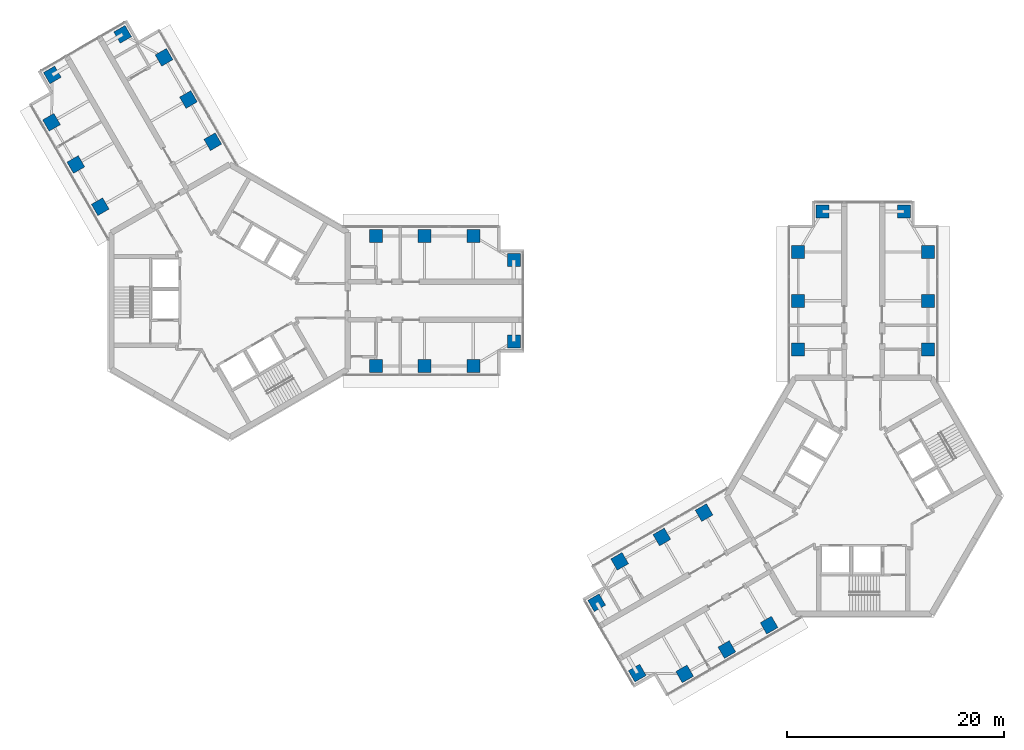
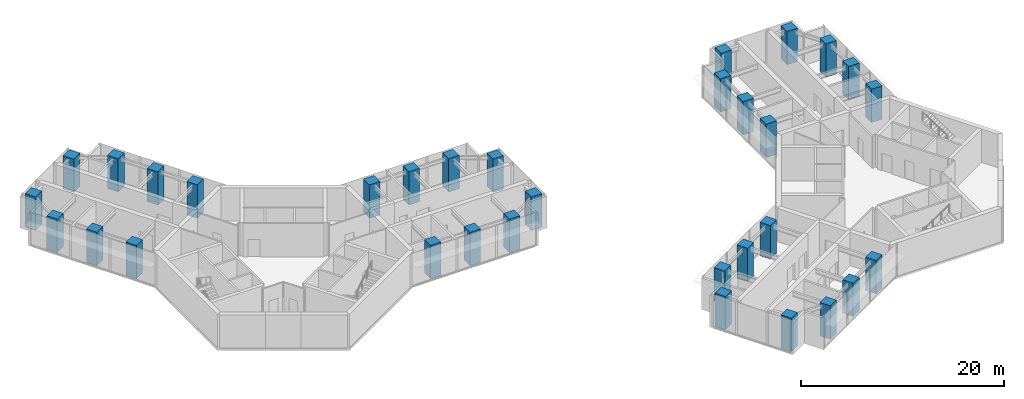
# One storey, part 1 of 17: 32 columns.
"""IFC4 building model written with IfcOpenShell, lengths in metres."""

from ifc_helpers import new_model, si_unit, direction, frame, origin, origin_2d, place, context, subcontext, project, spatial, rectangle, extrude, material, material_profile, profile_set, type_object, element, save


model = new_model("IFC4")

# Units and contexts
model_context = context("Model", 3, precision=1e-05, world=origin(), true_north=direction((0.0, 1.0)))
body_context = subcontext(model_context, "Body", "Model", "MODEL_VIEW")
ifc_project = project(units=[si_unit("LENGTHUNIT", "METRE"), si_unit("AREAUNIT", "SQUARE_METRE"), si_unit("VOLUMEUNIT", "CUBIC_METRE"), si_unit("PLANEANGLEUNIT", "RADIAN"), si_unit("MASSUNIT", "GRAM", prefix="KILO")], contexts=[model_context])

# Site, building, storey
site_placement = place(None, origin())
site = spatial("IfcSite", under=ifc_project, at=site_placement, CompositionType="ELEMENT")
building_placement = place(site_placement, origin())
building = spatial("IfcBuilding", under=site, at=building_placement, Name="Upepo Twin Towers", CompositionType="ELEMENT")
storey_placement = place(building_placement, frame((0.0, 0.0, 182.5)))
storey = spatial("IfcBuildingStorey", under=building, at=storey_placement, Name="L44", CompositionType="ELEMENT", Elevation=182.5)

# Columns
ifc_material = material(Name="Concrete C60/75", Category="concrete")
ifc_material_profile = material_profile(ifc_material, rectangle(XDim=1.199951171875, YDim=1.199951171875, at=origin_2d()), Name="RC 1200x1200")
ifc_profile_set = profile_set([ifc_material_profile], Name="Concrete C60/75")
column_type = type_object("IfcColumnType", Name="Tower column RC 1200x1200", PredefinedType="COLUMN", material=ifc_profile_set)
for number, where, z_axis, x_axis, name in (
    (1, (13.5, 6.0, 0.0), (0.0, 0.0, 1.0), (1.0, 0.0, 0.0), "T1 column AL135"),
    (2, (13.5, -6.0, 0.0), (0.0, 0.0, 1.0), (1.0, 0.0, 0.0), "T1 column AR135"),
    (3, (18.0, 6.0, 0.0), (0.0, 0.0, 1.0), (1.0, 0.0, 0.0), "T1 column AL180"),
    (4, (18.0, -6.0, 0.0), (0.0, 0.0, 1.0), (1.0, 0.0, 0.0), "T1 column AR180"),
    (5, (22.5, 6.0, 0.0), (0.0, 0.0, 1.0), (1.0, 0.0, 0.0), "T1 column AL225"),
    (6, (22.5, -6.0, 0.0), (0.0, 0.0, 1.0), (1.0, 0.0, 0.0), "T1 column AR225"),
    (7, (26.25, 3.75, 0.0), (0.0, 0.0, 1.0), (1.0, 0.0, 0.0), "T1 column ALN"),
    (8, (26.25, -3.75, 0.0), (0.0, 0.0, 1.0), (1.0, 0.0, 0.0), "T1 column ARN"),
    (9, (-11.946044921875, 8.69140625, 0.0), (0.0, 0.0, 1.0), (0.866025403784, 0.5, 0.0), "T1 column BL135"),
    (10, (-1.553955078125, 14.69140625, 0.0), (0.0, 0.0, 1.0), (0.866025403784, 0.5, 0.0), "T1 column BR135"),
    (11, (-14.196044921875, 12.58837890625, 0.0), (0.0, 0.0, 1.0), (0.866025403784, 0.5, 0.0), "T1 column BL180"),
    (12, (-3.803955078125, 18.58837890625, 0.0), (0.0, 0.0, 1.0), (0.866025403784, 0.5, 0.0), "T1 column BR180"),
    (13, (-16.446044921875, 16.485595703125, 0.0), (0.0, 0.0, 1.0), (0.866025403784, 0.5, 0.0), "T1 column BL225"),
    (14, (-6.053955078125, 22.485595703125, 0.0), (0.0, 0.0, 1.0), (0.866025403784, 0.5, 0.0), "T1 column BR225"),
    (15, (-16.37255859375, 20.858154296875, 0.0), (0.0, 0.0, 1.0), (0.866025403784, 0.5, 0.0), "T1 column BLN"),
    (16, (-9.87744140625, 24.608154296875, 0.0), (0.0, 0.0, 1.0), (0.866025403784, 0.5, 0.0), "T1 column BRN"),
    (17, (52.5, -4.5, 0.0), (0.0, 0.0, 1.0), (1.0, 0.0, 0.0), "T2 column AL135"),
    (18, (64.5, -4.5, 0.0), (0.0, 0.0, 1.0), (1.0, 0.0, 0.0), "T2 column AR135"),
    (19, (52.5, 0.0, 0.0), (0.0, 0.0, 1.0), (1.0, 0.0, 0.0), "T2 column AL180"),
    (20, (64.5, 0.0, 0.0), (0.0, 0.0, 1.0), (1.0, 0.0, 0.0), "T2 column AR180"),
    (21, (52.5, 4.5, 0.0), (0.0, 0.0, 1.0), (1.0, 0.0, 0.0), "T2 column AL225"),
    (22, (64.5, 4.5, 0.0), (0.0, 0.0, 1.0), (1.0, 0.0, 0.0), "T2 column AR225"),
    (23, (54.75, 8.25, 0.0), (0.0, 0.0, 1.0), (1.0, 0.0, 0.0), "T2 column ALN"),
    (24, (62.25, 8.25, 0.0), (0.0, 0.0, 1.0), (1.0, 0.0, 0.0), "T2 column ARN"),
    (25, (49.80859375, -29.946044921875, 0.0), (0.0, 0.0, 1.0), (0.866025403784, 0.5, 0.0), "T2 column BL135"),
    (26, (43.80859375, -19.553955078125, 0.0), (0.0, 0.0, 1.0), (0.866025403784, 0.5, 0.0), "T2 column BR135"),
    (27, (45.91162109375, -32.196044921875, 0.0), (0.0, 0.0, 1.0), (0.866025403784, 0.5, 0.0), "T2 column BL180"),
    (28, (39.91162109375, -21.803955078125, 0.0), (0.0, 0.0, 1.0), (0.866025403784, 0.5, 0.0), "T2 column BR180"),
    (29, (42.014404296875, -34.446044921875, 0.0), (0.0, 0.0, 1.0), (0.866025403784, 0.5, 0.0), "T2 column BL225"),
    (30, (36.014404296875, -24.053955078125, 0.0), (0.0, 0.0, 1.0), (0.866025403784, 0.5, 0.0), "T2 column BR225"),
    (31, (37.641845703125, -34.37255859375, 0.0), (0.0, 0.0, 1.0), (0.866025403784, 0.5, 0.0), "T2 column BLN"),
    (32, (33.891845703125, -27.87744140625, 0.0), (0.0, 0.0, 1.0), (0.866025403784, 0.5, 0.0), "T2 column BRN"),
):
    element("IfcColumn", number, at=place(storey_placement, frame(where, z_axis=z_axis, x_axis=x_axis)), inside=storey, type_object=column_type, Name=name, PredefinedType="COLUMN", context=body_context, shape_type="SweptSolid", body=[
        extrude(rectangle(XDim=1.199951171875, YDim=1.199951171875, at=origin_2d()), origin(), (0.0, 0.0, 1.0), 4.0),
    ])

save(model, "model.ifc")
